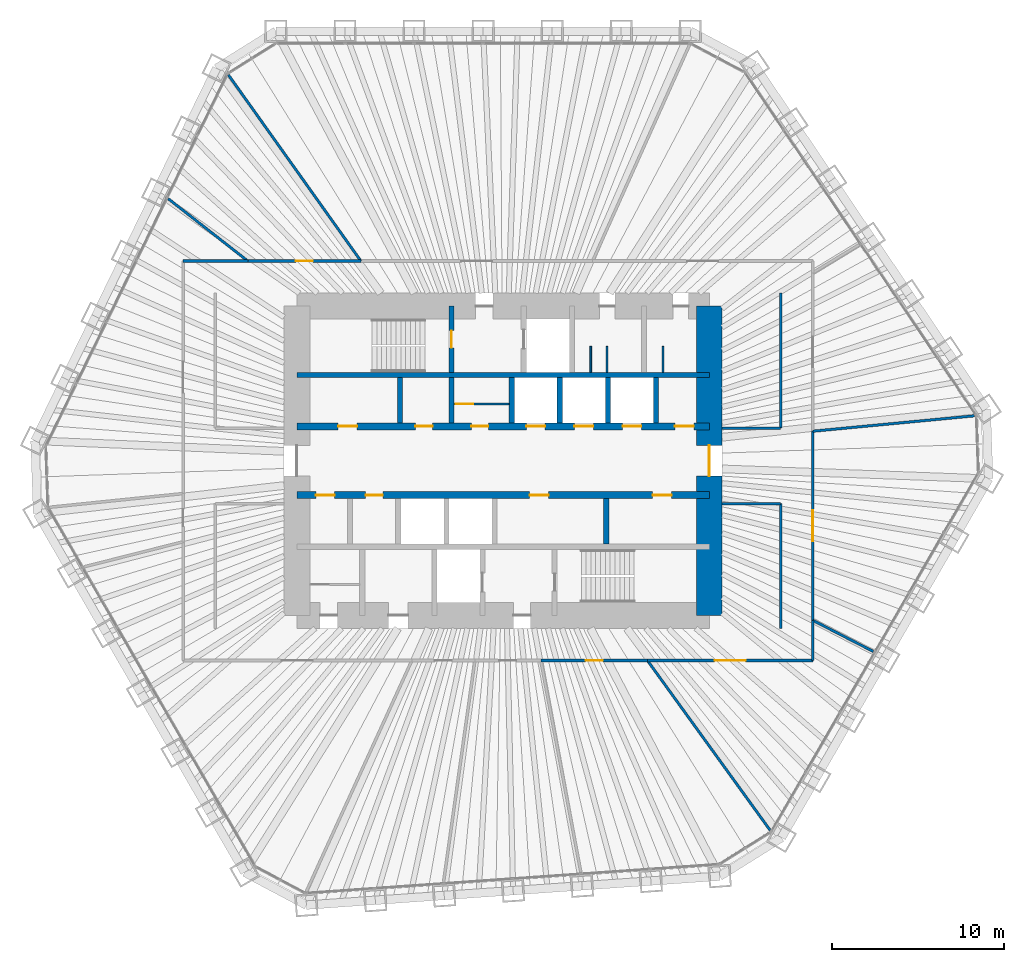
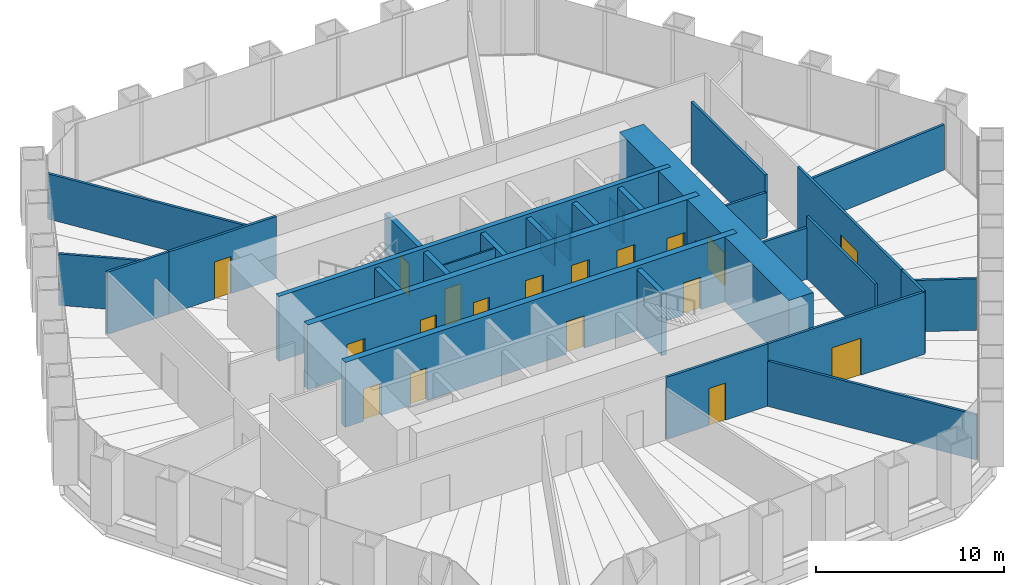
# One storey, part 11 of 13: 31 walls, 18 doors, 18 openings.
"""IFC4 building model written with IfcOpenShell, lengths in metres."""

from ifc_helpers import new_model, si_unit, direction, frame, frame_2d, origin, place, context, subcontext, project, spatial, rectangle, extrude, material, layer, layer_set, type_object, element, fill, save


model = new_model("IFC4")

# Units and contexts
model_context = context("Model", 3, precision=1e-05, world=origin(), true_north=direction((0.0, 1.0)))
body_context = subcontext(model_context, "Body", "Model", "MODEL_VIEW")
ifc_project = project(units=[si_unit("LENGTHUNIT", "METRE"), si_unit("AREAUNIT", "SQUARE_METRE"), si_unit("VOLUMEUNIT", "CUBIC_METRE"), si_unit("PLANEANGLEUNIT", "RADIAN"), si_unit("MASSUNIT", "GRAM", prefix="KILO")], contexts=[model_context])

# Site, building, storey
site_placement = place(None, origin())
site = spatial("IfcSite", under=ifc_project, at=site_placement, CompositionType="ELEMENT")
building_placement = place(site_placement, origin())
building = spatial("IfcBuilding", under=site, at=building_placement, Name="Qingtian Harvest Tower", CompositionType="ELEMENT")
storey_placement = place(building_placement, frame((0.0, 0.0, 115.60009765625)))
storey = spatial("IfcBuildingStorey", under=building, at=storey_placement, Name="L23", CompositionType="ELEMENT", Elevation=115.60009765625)

# Wall
ifc_material_1 = material(Name="Concrete fc' 70 MPa", Category="concrete")
ifc_layer_1 = layer(ifc_material_1, 0.300048828125)
ifc_layer_set_1 = layer_set([ifc_layer_1], Name="Core inner wall RC5 300")
wall_type_1 = type_object("IfcWallType", Name="Core inner wall RC5 300", PredefinedType="SHEAR", material=ifc_layer_set_1)
wall_1_placement = place(storey_placement, frame((-12.0, 5.0, 0.0), z_axis=(0.0, 0.0, 1.0), x_axis=(1.0, 0.0, 0.0)))
element("IfcWall", 1, at=wall_1_placement, inside=storey, type_object=wall_type_1, Name="Core wall IN5 L23", PredefinedType="SHEAR", context=body_context, shape_type="SweptSolid", body=[
    extrude(rectangle(XDim=24.0, YDim=0.300048828125, at=frame_2d((12.0, 0.0))), origin(), (0.0, 0.0, 1.0), 4.199951171875),
])

# Wall, openings, doors
ifc_material_2 = material(Name="Concrete fc' 70 MPa", Category="concrete")
ifc_layer_2 = layer(ifc_material_2, 0.39990234375)
ifc_layer_set_2 = layer_set([ifc_layer_2], Name="Core inner web RC6 400")
wall_type_2 = type_object("IfcWallType", Name="Core inner web RC6 400", PredefinedType="SHEAR", material=ifc_layer_set_2)
wall_2_placement = place(storey_placement, frame((-12.0, 2.0, 0.0), z_axis=(0.0, 0.0, 1.0), x_axis=(1.0, 0.0, 0.0)))
wall_2 = element("IfcWall", 2, at=wall_2_placement, inside=storey, type_object=wall_type_2, Name="Core wall IN2 L23", PredefinedType="SHEAR", context=body_context, shape_type="SweptSolid", body=[
    extrude(rectangle(XDim=24.0, YDim=0.39990234375, at=frame_2d((12.0, 0.0))), origin(), (0.0, 0.0, 1.0), 4.199951171875),
])
opening_1_placement = place(wall_2_placement, frame((2.39990234375, 0.0, 0.0)))
opening_1 = element("IfcOpeningElement", 3, at=opening_1_placement, cuts=wall_2, Name="Opening FD4", PredefinedType="OPENING", context=body_context, shape_type="SweptSolid", body=[
    extrude(rectangle(XDim=1.10009765625, YDim=2.10009765625, at=frame_2d((0.550048828125, 1.050048828125))), frame((0.0, 0.2099609375, 0.0), z_axis=(0.0, -1.0, 0.0), x_axis=(1.0, 0.0, 0.0)), (0.0, 0.0, 1.0), 0.419921875),
])
opening_2_placement = place(wall_2_placement, frame((22.0, 0.0, 0.0)))
opening_2 = element("IfcOpeningElement", 4, at=opening_2_placement, cuts=wall_2, Name="Opening FD4", PredefinedType="OPENING", context=body_context, shape_type="SweptSolid", body=[
    extrude(rectangle(XDim=1.10009765625, YDim=2.10009765625, at=frame_2d((0.550048828125, 1.050048828125))), frame((0.0, 0.2099609375, 0.0), z_axis=(0.0, -1.0, 0.0), x_axis=(1.0, 0.0, 0.0)), (0.0, 0.0, 1.0), 0.419921875),
])
opening_3_placement = place(wall_2_placement, frame((10.14990234375, 0.0, 0.0)))
opening_3 = element("IfcOpeningElement", 5, at=opening_3_placement, cuts=wall_2, Name="Opening FD1", PredefinedType="OPENING", context=body_context, shape_type="SweptSolid", body=[
    extrude(rectangle(XDim=1.0, YDim=2.10009765625, at=frame_2d((0.5, 1.050048828125))), frame((0.0, 0.2099609375, 0.0), z_axis=(0.0, -1.0, 0.0), x_axis=(1.0, 0.0, 0.0)), (0.0, 0.0, 1.0), 0.419921875),
])
opening_4_placement = place(wall_2_placement, frame((6.89990234375, 0.0, 0.0)))
opening_4 = element("IfcOpeningElement", 6, at=opening_4_placement, cuts=wall_2, Name="Opening FD1", PredefinedType="OPENING", context=body_context, shape_type="SweptSolid", body=[
    extrude(rectangle(XDim=1.0, YDim=2.10009765625, at=frame_2d((0.5, 1.050048828125))), frame((0.0, 0.2099609375, 0.0), z_axis=(0.0, -1.0, 0.0), x_axis=(1.0, 0.0, 0.0)), (0.0, 0.0, 1.0), 0.419921875),
])
opening_5_placement = place(wall_2_placement, frame((13.35009765625, 0.0, 0.0)))
opening_5 = element("IfcOpeningElement", 7, at=opening_5_placement, cuts=wall_2, Name="Opening LD1", PredefinedType="OPENING", context=body_context, shape_type="SweptSolid", body=[
    extrude(rectangle(XDim=1.10009765625, YDim=2.39990234375, at=frame_2d((0.550048828125, 1.199951171875))), frame((0.0, 0.2099609375, 0.0), z_axis=(0.0, -1.0, 0.0), x_axis=(1.0, 0.0, 0.0)), (0.0, 0.0, 1.0), 0.419921875),
])
opening_6_placement = place(wall_2_placement, frame((16.14990234375, 0.0, 0.0)))
opening_6 = element("IfcOpeningElement", 8, at=opening_6_placement, cuts=wall_2, Name="Opening LD1", PredefinedType="OPENING", context=body_context, shape_type="SweptSolid", body=[
    extrude(rectangle(XDim=1.10009765625, YDim=2.39990234375, at=frame_2d((0.550048828125, 1.199951171875))), frame((0.0, 0.2099609375, 0.0), z_axis=(0.0, -1.0, 0.0), x_axis=(1.0, 0.0, 0.0)), (0.0, 0.0, 1.0), 0.419921875),
])
opening_7_placement = place(wall_2_placement, frame((18.949951171875, 0.0, 0.0)))
opening_7 = element("IfcOpeningElement", 9, at=opening_7_placement, cuts=wall_2, Name="Opening LD1", PredefinedType="OPENING", context=body_context, shape_type="SweptSolid", body=[
    extrude(rectangle(XDim=1.10009765625, YDim=2.39990234375, at=frame_2d((0.550048828125, 1.199951171875))), frame((0.0, 0.2099609375, 0.0), z_axis=(0.0, -1.0, 0.0), x_axis=(1.0, 0.0, 0.0)), (0.0, 0.0, 1.0), 0.419921875),
])
ifc_material_3 = material(Name="Steel-faced door leaf", Category="steel")
door_type_1 = type_object("IfcDoorType", Name="Fire door FD1 single 1 HR", OperationType="SINGLE_SWING_LEFT", PredefinedType="DOOR", material=ifc_material_3)
door_1_placement = place(opening_3_placement, origin())
door_1 = element("IfcDoor", 10, at=door_1_placement, inside=storey, type_object=door_type_1, Name="STA door L23", OperationType="SINGLE_SWING_LEFT", OverallHeight=2.10009765625, OverallWidth=1.0, PredefinedType="DOOR", context=body_context, shape_type="SweptSolid", body=[
    extrude(rectangle(XDim=1.0, YDim=2.10009765625, at=frame_2d((0.5, 1.050048828125))), frame((0.0, 0.02490234375, 0.0), z_axis=(0.0, -1.0, 0.0), x_axis=(1.0, 0.0, 0.0)), (0.0, 0.0, 1.0), 0.050048828125),
])
fill(opening_3, door_1)
door_2_placement = place(opening_4_placement, origin())
door_2 = element("IfcDoor", 11, at=door_2_placement, inside=storey, type_object=door_type_1, Name="IT room door L23", OperationType="SINGLE_SWING_LEFT", OverallHeight=2.10009765625, OverallWidth=1.0, PredefinedType="DOOR", context=body_context, shape_type="SweptSolid", body=[
    extrude(rectangle(XDim=1.0, YDim=2.10009765625, at=frame_2d((0.5, 1.050048828125))), frame((0.0, 0.02490234375, 0.0), z_axis=(0.0, -1.0, 0.0), x_axis=(1.0, 0.0, 0.0)), (0.0, 0.0, 1.0), 0.050048828125),
])
fill(opening_4, door_2)
ifc_material_4 = material(Name="Steel-faced door leaf", Category="steel")
door_type_2 = type_object("IfcDoorType", Name="Fire door FD4 single 2 HR", OperationType="SINGLE_SWING_LEFT", PredefinedType="DOOR", material=ifc_material_4)
door_3_placement = place(opening_1_placement, origin())
door_3 = element("IfcDoor", 12, at=door_3_placement, inside=storey, type_object=door_type_2, Name="RA door L23", OperationType="SINGLE_SWING_RIGHT", OverallHeight=2.10009765625, OverallWidth=1.10009765625, PredefinedType="DOOR", context=body_context, shape_type="SweptSolid", body=[
    extrude(rectangle(XDim=1.10009765625, YDim=2.10009765625, at=frame_2d((0.550048828125, 1.050048828125))), frame((0.0, 0.02490234375, 0.0), z_axis=(0.0, -1.0, 0.0), x_axis=(1.0, 0.0, 0.0)), (0.0, 0.0, 1.0), 0.050048828125),
])
fill(opening_1, door_3)
door_4_placement = place(opening_2_placement, origin())
door_4 = element("IfcDoor", 13, at=door_4_placement, inside=storey, type_object=door_type_2, Name="AHU door L23", OperationType="SINGLE_SWING_RIGHT", OverallHeight=2.10009765625, OverallWidth=1.10009765625, PredefinedType="DOOR", context=body_context, shape_type="SweptSolid", body=[
    extrude(rectangle(XDim=1.10009765625, YDim=2.10009765625, at=frame_2d((0.550048828125, 1.050048828125))), frame((0.0, 0.02490234375, 0.0), z_axis=(0.0, -1.0, 0.0), x_axis=(1.0, 0.0, 0.0)), (0.0, 0.0, 1.0), 0.050048828125),
])
fill(opening_2, door_4)
ifc_material_5 = material(Name="Stainless steel lift landing door", Category="steel")
door_type_3 = type_object("IfcDoorType", Name="Lift landing door LD1 1 HR", OperationType="DOUBLE_DOOR_SLIDING", PredefinedType="DOOR", material=ifc_material_5)
door_5_placement = place(opening_5_placement, origin())
door_5 = element("IfcDoor", 14, at=door_5_placement, inside=storey, type_object=door_type_3, Name="PLB1 landing door L23", OperationType="DOUBLE_DOOR_SLIDING", OverallHeight=2.39990234375, OverallWidth=1.10009765625, PredefinedType="DOOR", context=body_context, shape_type="SweptSolid", body=[
    extrude(rectangle(XDim=1.10009765625, YDim=2.39990234375, at=frame_2d((0.550048828125, 1.199951171875))), frame((0.0, 0.02490234375, 0.0), z_axis=(0.0, -1.0, 0.0), x_axis=(1.0, 0.0, 0.0)), (0.0, 0.0, 1.0), 0.050048828125),
])
fill(opening_5, door_5)
door_6_placement = place(opening_6_placement, origin())
door_6 = element("IfcDoor", 15, at=door_6_placement, inside=storey, type_object=door_type_3, Name="PLB2 landing door L23", OperationType="DOUBLE_DOOR_SLIDING", OverallHeight=2.39990234375, OverallWidth=1.10009765625, PredefinedType="DOOR", context=body_context, shape_type="SweptSolid", body=[
    extrude(rectangle(XDim=1.10009765625, YDim=2.39990234375, at=frame_2d((0.550048828125, 1.199951171875))), frame((0.0, 0.02490234375, 0.0), z_axis=(0.0, -1.0, 0.0), x_axis=(1.0, 0.0, 0.0)), (0.0, 0.0, 1.0), 0.050048828125),
])
fill(opening_6, door_6)
door_7_placement = place(opening_7_placement, origin())
door_7 = element("IfcDoor", 16, at=door_7_placement, inside=storey, type_object=door_type_3, Name="PLB3 landing door L23", OperationType="DOUBLE_DOOR_SLIDING", OverallHeight=2.39990234375, OverallWidth=1.10009765625, PredefinedType="DOOR", context=body_context, shape_type="SweptSolid", body=[
    extrude(rectangle(XDim=1.10009765625, YDim=2.39990234375, at=frame_2d((0.550048828125, 1.199951171875))), frame((0.0, 0.02490234375, 0.0), z_axis=(0.0, -1.0, 0.0), x_axis=(1.0, 0.0, 0.0)), (0.0, 0.0, 1.0), 0.050048828125),
])
fill(opening_7, door_7)

wall_3_placement = place(storey_placement, frame((-12.0, -2.0, 0.0), z_axis=(0.0, 0.0, 1.0), x_axis=(1.0, 0.0, 0.0)))
wall_3 = element("IfcWall", 17, at=wall_3_placement, inside=storey, type_object=wall_type_2, Name="Core wall IS2 L23", PredefinedType="SHEAR", context=body_context, shape_type="SweptSolid", body=[
    extrude(rectangle(XDim=24.0, YDim=0.39990234375, at=frame_2d((12.0, 0.0))), origin(), (0.0, 0.0, 1.0), 4.199951171875),
])
opening_8_placement = place(wall_3_placement, frame((1.10009765625, 0.0, 0.0)))
opening_8 = element("IfcOpeningElement", 18, at=opening_8_placement, cuts=wall_3, Name="Opening FD4", PredefinedType="OPENING", context=body_context, shape_type="SweptSolid", body=[
    extrude(rectangle(XDim=1.10009765625, YDim=2.10009765625, at=frame_2d((0.550048828125, 1.050048828125))), frame((0.0, 0.2099609375, 0.0), z_axis=(0.0, -1.0, 0.0), x_axis=(1.0, 0.0, 0.0)), (0.0, 0.0, 1.0), 0.419921875),
])
opening_9_placement = place(wall_3_placement, frame((13.550048828125, 0.0, 0.0)))
opening_9 = element("IfcOpeningElement", 19, at=opening_9_placement, cuts=wall_3, Name="Opening FD4", PredefinedType="OPENING", context=body_context, shape_type="SweptSolid", body=[
    extrude(rectangle(XDim=1.10009765625, YDim=2.10009765625, at=frame_2d((0.550048828125, 1.050048828125))), frame((0.0, 0.2099609375, 0.0), z_axis=(0.0, -1.0, 0.0), x_axis=(1.0, 0.0, 0.0)), (0.0, 0.0, 1.0), 0.419921875),
])
opening_10_placement = place(wall_3_placement, frame((20.699951171875, 0.0, 0.0)))
opening_10 = element("IfcOpeningElement", 20, at=opening_10_placement, cuts=wall_3, Name="Opening FD4", PredefinedType="OPENING", context=body_context, shape_type="SweptSolid", body=[
    extrude(rectangle(XDim=1.10009765625, YDim=2.10009765625, at=frame_2d((0.550048828125, 1.050048828125))), frame((0.0, 0.2099609375, 0.0), z_axis=(0.0, -1.0, 0.0), x_axis=(1.0, 0.0, 0.0)), (0.0, 0.0, 1.0), 0.419921875),
])
opening_11_placement = place(wall_3_placement, frame((4.0, 0.0, 0.0)))
opening_11 = element("IfcOpeningElement", 21, at=opening_11_placement, cuts=wall_3, Name="Opening FD1", PredefinedType="OPENING", context=body_context, shape_type="SweptSolid", body=[
    extrude(rectangle(XDim=1.0, YDim=2.10009765625, at=frame_2d((0.5, 1.050048828125))), frame((0.0, 0.2099609375, 0.0), z_axis=(0.0, -1.0, 0.0), x_axis=(1.0, 0.0, 0.0)), (0.0, 0.0, 1.0), 0.419921875),
])
door_8_placement = place(opening_11_placement, origin())
door_8 = element("IfcDoor", 22, at=door_8_placement, inside=storey, type_object=door_type_1, Name="IT room door L23", OperationType="SINGLE_SWING_LEFT", OverallHeight=2.10009765625, OverallWidth=1.0, PredefinedType="DOOR", context=body_context, shape_type="SweptSolid", body=[
    extrude(rectangle(XDim=1.0, YDim=2.10009765625, at=frame_2d((0.5, 1.050048828125))), frame((0.0, 0.02490234375, 0.0), z_axis=(0.0, -1.0, 0.0), x_axis=(1.0, 0.0, 0.0)), (0.0, 0.0, 1.0), 0.050048828125),
])
fill(opening_11, door_8)
door_9_placement = place(opening_8_placement, origin())
door_9 = element("IfcDoor", 23, at=door_9_placement, inside=storey, type_object=door_type_2, Name="RB door L23", OperationType="SINGLE_SWING_RIGHT", OverallHeight=2.10009765625, OverallWidth=1.10009765625, PredefinedType="DOOR", context=body_context, shape_type="SweptSolid", body=[
    extrude(rectangle(XDim=1.10009765625, YDim=2.10009765625, at=frame_2d((0.550048828125, 1.050048828125))), frame((0.0, 0.02490234375, 0.0), z_axis=(0.0, -1.0, 0.0), x_axis=(1.0, 0.0, 0.0)), (0.0, 0.0, 1.0), 0.050048828125),
])
fill(opening_8, door_9)
door_10_placement = place(opening_9_placement, origin())
door_10 = element("IfcDoor", 24, at=door_10_placement, inside=storey, type_object=door_type_2, Name="ELEC door L23", OperationType="SINGLE_SWING_LEFT", OverallHeight=2.10009765625, OverallWidth=1.10009765625, PredefinedType="DOOR", context=body_context, shape_type="SweptSolid", body=[
    extrude(rectangle(XDim=1.10009765625, YDim=2.10009765625, at=frame_2d((0.550048828125, 1.050048828125))), frame((0.0, 0.02490234375, 0.0), z_axis=(0.0, -1.0, 0.0), x_axis=(1.0, 0.0, 0.0)), (0.0, 0.0, 1.0), 0.050048828125),
])
fill(opening_9, door_10)
door_11_placement = place(opening_10_placement, origin())
door_11 = element("IfcDoor", 25, at=door_11_placement, inside=storey, type_object=door_type_2, Name="DUCT door L23", OperationType="SINGLE_SWING_RIGHT", OverallHeight=2.10009765625, OverallWidth=1.10009765625, PredefinedType="DOOR", context=body_context, shape_type="SweptSolid", body=[
    extrude(rectangle(XDim=1.10009765625, YDim=2.10009765625, at=frame_2d((0.550048828125, 1.050048828125))), frame((0.0, 0.02490234375, 0.0), z_axis=(0.0, -1.0, 0.0), x_axis=(1.0, 0.0, 0.0)), (0.0, 0.0, 1.0), 0.050048828125),
])
fill(opening_10, door_11)

# Wall, opening, door
ifc_material_6 = material(Name="Precast concrete shaft panel", Category="concrete")
ifc_layer_3 = layer(ifc_material_6, 0.300048828125)
ifc_layer_set_3 = layer_set([ifc_layer_3], Name="Core shaft partition SW1 300")
wall_type_3 = type_object("IfcWallType", Name="Core shaft partition SW1 300", PredefinedType="PARTITIONING", material=ifc_layer_set_3)
wall_4_placement = place(storey_placement, frame((-3.0, 5.14990234375, 0.0), z_axis=(0.0, 0.0, 1.0), x_axis=(0.0, 1.0, 0.0)))
wall_4 = element("IfcWall", 26, at=wall_4_placement, inside=storey, type_object=wall_type_3, Name="Core shaft partition XN1 L23", PredefinedType="PARTITIONING", context=body_context, shape_type="SweptSolid", body=[
    extrude(rectangle(XDim=3.85009765625, YDim=0.300048828125, at=frame_2d((1.925048828125, 0.0))), origin(), (0.0, 0.0, 1.0), 3.97998046875),
])
opening_12_placement = place(wall_4_placement, frame((1.425048828125, 0.0, 0.0)))
opening_12 = element("IfcOpeningElement", 27, at=opening_12_placement, cuts=wall_4, Name="Opening FD1", PredefinedType="OPENING", context=body_context, shape_type="SweptSolid", body=[
    extrude(rectangle(XDim=1.0, YDim=2.10009765625, at=frame_2d((0.5, 1.050048828125))), frame((0.0, 0.159912109375, 0.0), z_axis=(0.0, -1.0, 0.0), x_axis=(1.0, 0.0, 0.0)), (0.0, 0.0, 1.0), 0.320068359375),
])
door_12_placement = place(opening_12_placement, origin())
door_12 = element("IfcDoor", 28, at=door_12_placement, inside=storey, type_object=door_type_1, Name="S1 door L23", OperationType="SINGLE_SWING_LEFT", OverallHeight=2.10009765625, OverallWidth=1.0, PredefinedType="DOOR", context=body_context, shape_type="SweptSolid", body=[
    extrude(rectangle(XDim=1.0, YDim=2.10009765625, at=frame_2d((0.5, 1.050048828125))), frame((0.0, 0.02490234375, 0.0), z_axis=(0.0, -1.0, 0.0), x_axis=(1.0, 0.0, 0.0)), (0.0, 0.0, 1.0), 0.050048828125),
])
fill(opening_12, door_12)

# Walls
for number, where, z_axis, x_axis, name in (
    (29, (-6.0, 2.199951171875, 0.0), (0.0, 0.0, 1.0), (0.0, 1.0, 0.0), "Core shaft partition XA1 L23"),
    (30, (-3.0, 2.199951171875, 0.0), (0.0, 0.0, 1.0), (0.0, 1.0, 0.0), "Core shaft partition XA2 L23"),
    (31, (0.5, 2.199951171875, 0.0), (0.0, 0.0, 1.0), (0.0, 1.0, 0.0), "Core shaft partition XA3 L23"),
    (32, (3.300048828125, 2.199951171875, 0.0), (0.0, 0.0, 1.0), (0.0, 1.0, 0.0), "Core shaft partition XA4 L23"),
    (33, (6.10009765625, 2.199951171875, 0.0), (0.0, 0.0, 1.0), (0.0, 1.0, 0.0), "Core shaft partition XA5 L23"),
    (34, (8.89990234375, 2.199951171875, 0.0), (0.0, 0.0, 1.0), (0.0, 1.0, 0.0), "Core shaft partition XA6 L23"),
    (35, (6.0, -4.85009765625, 0.0), (0.0, 0.0, 1.0), (0.0, 1.0, 0.0), "Core shaft partition XB5 L23"),
):
    element("IfcWall", number, at=place(storey_placement, frame(where, z_axis=z_axis, x_axis=x_axis)), inside=storey, type_object=wall_type_3, Name=name, PredefinedType="PARTITIONING", context=body_context, shape_type="SweptSolid", body=[
        extrude(rectangle(XDim=2.650146484375, YDim=0.300048828125, at=frame_2d((1.3251953125, 0.0))), origin(), (0.0, 0.0, 1.0), 3.97998046875),
    ])

# Wall, opening, door
ifc_material_7 = material(Name="Concrete fc' 70 MPa", Category="concrete")
ifc_layer_4 = layer(ifc_material_7, 1.5)
ifc_layer_set_4 = layer_set([ifc_layer_4], Name="Core wall RC1 1500")
wall_type_4 = type_object("IfcWallType", Name="Core wall RC1 1500", PredefinedType="SHEAR", material=ifc_layer_set_4)
wall_5_placement = place(storey_placement, frame((12.0, -9.0, 0.0), z_axis=(0.0, 0.0, 1.0), x_axis=(0.0, 1.0, 0.0)))
wall_5 = element("IfcWall", 36, at=wall_5_placement, inside=storey, type_object=wall_type_4, Name="Core wall CE L23", PredefinedType="SHEAR", context=body_context, shape_type="SweptSolid", body=[
    extrude(rectangle(XDim=18.0, YDim=1.5, at=frame_2d((9.0, 0.0))), origin(), (0.0, 0.0, 1.0), 4.199951171875),
])
opening_13_placement = place(wall_5_placement, frame((8.10009765625, 0.0, 0.0)))
opening_13 = element("IfcOpeningElement", 37, at=opening_13_placement, cuts=wall_5, Name="Opening FD2", PredefinedType="OPENING", context=body_context, shape_type="SweptSolid", body=[
    extrude(rectangle(XDim=1.800048828125, YDim=2.10009765625, at=frame_2d((0.89990234375, 1.050048828125))), frame((0.0, 0.760009765625, 0.0), z_axis=(0.0, -1.0, 0.0), x_axis=(1.0, 0.0, 0.0)), (0.0, 0.0, 1.0), 1.52001953125),
])
ifc_material_8 = material(Name="Steel-faced door leaf", Category="steel")
door_type_4 = type_object("IfcDoorType", Name="Fire door FD2 double 1 HR", OperationType="DOUBLE_DOOR_DOUBLE_SWING", PredefinedType="DOOR", material=ifc_material_8)
door_13_placement = place(opening_13_placement, origin())
door_13 = element("IfcDoor", 38, at=door_13_placement, inside=storey, type_object=door_type_4, Name="LOBBY-E door L23", OperationType="DOUBLE_DOOR_DOUBLE_SWING", OverallHeight=2.10009765625, OverallWidth=1.800048828125, PredefinedType="DOOR", context=body_context, shape_type="SweptSolid", body=[
    extrude(rectangle(XDim=1.800048828125, YDim=2.10009765625, at=frame_2d((0.89990234375, 1.050048828125))), frame((0.0, 0.02490234375, 0.0), z_axis=(0.0, -1.0, 0.0), x_axis=(1.0, 0.0, 0.0)), (0.0, 0.0, 1.0), 0.050048828125),
])
fill(opening_13, door_13)

# Walls
ifc_material_9 = material(Name="Gypsum board on steel studs", Category="steel")
ifc_layer_5 = layer(ifc_material_9, 0.14990234375)
ifc_layer_set_5 = layer_set([ifc_layer_5], Name="Partition PT1 150")
wall_type_5 = type_object("IfcWallType", Name="Partition PT1 150", PredefinedType="PARTITIONING", material=ifc_layer_set_5)
wall_6_placement = place(storey_placement, frame((-15.986572265625, 22.45458984375, 0.0), z_axis=(0.0, 0.0, 1.0), x_axis=(0.579969304452, -0.814638328274, 0.0)))
element("IfcWall", 39, at=wall_6_placement, inside=storey, type_object=wall_type_5, Name="Office suite wall L23", PredefinedType="PARTITIONING", context=body_context, shape_type="SweptSolid", body=[
    extrude(rectangle(XDim=13.293701171875, YDim=0.14990234375, at=frame_2d((6.64697265625, 0.0))), origin(), (0.0, 0.0, 1.0), 2.929931640625),
])
wall_7_placement = place(storey_placement, frame((27.439453125, 2.61767578125, 0.0), z_axis=(0.0, 0.0, 1.0), x_axis=(-0.995479795947, -0.09497355348, 0.0)))
element("IfcWall", 40, at=wall_7_placement, inside=storey, type_object=wall_type_5, Name="Meeting room wall L23", PredefinedType="PARTITIONING", context=body_context, shape_type="SweptSolid", body=[
    extrude(rectangle(XDim=9.457275390625, YDim=0.14990234375, at=frame_2d((4.728515625, 0.0))), origin(), (0.0, 0.0, 1.0), 2.929931640625),
])

# Wall, opening, door
wall_8_placement = place(storey_placement, frame((18.02490234375, 1.719482421875, 0.0), z_axis=(0.0, 0.0, 1.0), x_axis=(0.0, -1.0, 0.0)))
wall_8 = element("IfcWall", 41, at=wall_8_placement, inside=storey, type_object=wall_type_5, Name="Meeting room wall L23", PredefinedType="PARTITIONING", context=body_context, shape_type="SweptSolid", body=[
    extrude(rectangle(XDim=11.005615234375, YDim=0.14990234375, at=frame_2d((5.5029296875, 0.0))), origin(), (0.0, 0.0, 1.0), 4.02978515625),
])
opening_14_placement = place(wall_8_placement, frame((4.602783203125, 0.0, 0.0)))
opening_14 = element("IfcOpeningElement", 42, at=opening_14_placement, cuts=wall_8, Name="Opening D3", PredefinedType="OPENING", context=body_context, shape_type="SweptSolid", body=[
    extrude(rectangle(XDim=1.800048828125, YDim=2.39990234375, at=frame_2d((0.89990234375, 1.199951171875))), frame((0.0, 0.0849609375, 0.0), z_axis=(0.0, -1.0, 0.0), x_axis=(1.0, 0.0, 0.0)), (0.0, 0.0, 1.0), 0.169921875),
])
ifc_material_10 = material(Name="Laminated timber door leaf", Category="wood")
door_type_5 = type_object("IfcDoorType", Name="Room door D3 double", OperationType="DOUBLE_DOOR_DOUBLE_SWING", PredefinedType="DOOR", material=ifc_material_10)
door_14_placement = place(opening_14_placement, origin())
door_14 = element("IfcDoor", 43, at=door_14_placement, inside=storey, type_object=door_type_5, Name="Meeting room door L23", OperationType="DOUBLE_DOOR_DOUBLE_SWING", OverallHeight=2.39990234375, OverallWidth=1.800048828125, PredefinedType="DOOR", context=body_context, shape_type="SweptSolid", body=[
    extrude(rectangle(XDim=1.800048828125, YDim=2.39990234375, at=frame_2d((0.89990234375, 1.199951171875))), frame((0.0, 0.02490234375, 0.0), z_axis=(0.0, -1.0, 0.0), x_axis=(1.0, 0.0, 0.0)), (0.0, 0.0, 1.0), 0.050048828125),
])
fill(opening_14, door_14)

# Walls
wall_9_placement = place(storey_placement, frame((21.537841796875, -11.095703125, 0.0), z_axis=(0.0, 0.0, 1.0), x_axis=(-0.888987513346, 0.457931437134, 0.0)))
element("IfcWall", 44, at=wall_9_placement, inside=storey, type_object=wall_type_5, Name="Tenant lounge wall L23", PredefinedType="PARTITIONING", context=body_context, shape_type="SweptSolid", body=[
    extrude(rectangle(XDim=3.95166015625, YDim=0.14990234375, at=frame_2d((1.975830078125, 0.0))), origin(), (0.0, 0.0, 1.0), 3.329833984375),
])
wall_10_placement = place(storey_placement, frame((18.02490234375, -9.2861328125, 0.0), z_axis=(0.0, 0.0, 1.0), x_axis=(0.0, -1.0, 0.0)))
element("IfcWall", 45, at=wall_10_placement, inside=storey, type_object=wall_type_5, Name="Tenant lounge wall L23", PredefinedType="PARTITIONING", context=body_context, shape_type="SweptSolid", body=[
    extrude(rectangle(XDim=2.3388671875, YDim=0.14990234375, at=frame_2d((1.16943359375, 0.0))), origin(), (0.0, 0.0, 1.0), 4.02978515625),
])

# Wall, opening, door
wall_11_placement = place(storey_placement, frame((18.02490234375, -11.625, 0.0), z_axis=(0.0, 0.0, 1.0), x_axis=(-1.0, 0.0, 0.0)))
wall_11 = element("IfcWall", 46, at=wall_11_placement, inside=storey, type_object=wall_type_5, Name="Tenant lounge wall L23", PredefinedType="PARTITIONING", context=body_context, shape_type="SweptSolid", body=[
    extrude(rectangle(XDim=9.62353515625, YDim=0.14990234375, at=frame_2d((4.811767578125, 0.0))), origin(), (0.0, 0.0, 1.0), 4.02978515625),
])
opening_15_placement = place(wall_11_placement, frame((3.911865234375, 0.0, 0.0)))
opening_15 = element("IfcOpeningElement", 47, at=opening_15_placement, cuts=wall_11, Name="Opening D3", PredefinedType="OPENING", context=body_context, shape_type="SweptSolid", body=[
    extrude(rectangle(XDim=1.800048828125, YDim=2.39990234375, at=frame_2d((0.89990234375, 1.199951171875))), frame((0.0, 0.0849609375, 0.0), z_axis=(0.0, -1.0, 0.0), x_axis=(1.0, 0.0, 0.0)), (0.0, 0.0, 1.0), 0.169921875),
])
door_15_placement = place(opening_15_placement, origin())
door_15 = element("IfcDoor", 48, at=door_15_placement, inside=storey, type_object=door_type_5, Name="Tenant lounge door L23", OperationType="DOUBLE_DOOR_DOUBLE_SWING", OverallHeight=2.39990234375, OverallWidth=1.800048828125, PredefinedType="DOOR", context=body_context, shape_type="SweptSolid", body=[
    extrude(rectangle(XDim=1.800048828125, YDim=2.39990234375, at=frame_2d((0.89990234375, 1.199951171875))), frame((0.0, 0.02490234375, 0.0), z_axis=(0.0, -1.0, 0.0), x_axis=(1.0, 0.0, 0.0)), (0.0, 0.0, 1.0), 0.050048828125),
])
fill(opening_15, door_15)

# Wall
wall_12_placement = place(storey_placement, frame((15.53955078125, -21.50244140625, 0.0), z_axis=(0.0, 0.0, 1.0), x_axis=(-0.585731902034, 0.810504866697, 0.0)))
element("IfcWall", 49, at=wall_12_placement, inside=storey, type_object=wall_type_5, Name="Pantry wall L23", PredefinedType="PARTITIONING", context=body_context, shape_type="SweptSolid", body=[
    extrude(rectangle(XDim=12.186767578125, YDim=0.14990234375, at=frame_2d((6.09326171875, 0.0))), origin(), (0.0, 0.0, 1.0), 2.929931640625),
])

# Wall, opening, door
wall_13_placement = place(storey_placement, frame((8.4013671875, -11.625, 0.0), z_axis=(0.0, 0.0, 1.0), x_axis=(-1.0, 0.0, 0.0)))
wall_13 = element("IfcWall", 50, at=wall_13_placement, inside=storey, type_object=wall_type_5, Name="Pantry wall L23", PredefinedType="PARTITIONING", context=body_context, shape_type="SweptSolid", body=[
    extrude(rectangle(XDim=6.204833984375, YDim=0.14990234375, at=frame_2d((3.1025390625, 0.0))), origin(), (0.0, 0.0, 1.0), 4.02978515625),
])
opening_16_placement = place(wall_13_placement, frame((2.602294921875, 0.0, 0.0)))
opening_16 = element("IfcOpeningElement", 51, at=opening_16_placement, cuts=wall_13, Name="Opening D2", PredefinedType="OPENING", context=body_context, shape_type="SweptSolid", body=[
    extrude(rectangle(XDim=1.0, YDim=2.39990234375, at=frame_2d((0.5, 1.199951171875))), frame((0.0, 0.0849609375, 0.0), z_axis=(0.0, -1.0, 0.0), x_axis=(1.0, 0.0, 0.0)), (0.0, 0.0, 1.0), 0.169921875),
])
ifc_material_11 = material(Name="Laminated timber door leaf", Category="wood")
door_type_6 = type_object("IfcDoorType", Name="Room door D2 single", OperationType="SINGLE_SWING_LEFT", PredefinedType="DOOR", material=ifc_material_11)
door_16_placement = place(opening_16_placement, origin())
door_16 = element("IfcDoor", 52, at=door_16_placement, inside=storey, type_object=door_type_6, Name="Pantry door L23", OperationType="SINGLE_SWING_RIGHT", OverallHeight=2.39990234375, OverallWidth=1.0, PredefinedType="DOOR", context=body_context, shape_type="SweptSolid", body=[
    extrude(rectangle(XDim=1.0, YDim=2.39990234375, at=frame_2d((0.5, 1.199951171875))), frame((0.0, 0.02490234375, 0.0), z_axis=(0.0, -1.0, 0.0), x_axis=(1.0, 0.0, 0.0)), (0.0, 0.0, 1.0), 0.050048828125),
])
fill(opening_16, door_16)

# Walls
wall_14_placement = place(storey_placement, frame((-18.625, 11.625, 0.0), z_axis=(0.0, 0.0, 1.0), x_axis=(1.0, 0.0, 0.0)))
element("IfcWall", 53, at=wall_14_placement, inside=storey, type_object=wall_type_5, Name="Meeting room wall L23", PredefinedType="PARTITIONING", context=body_context, shape_type="SweptSolid", body=[
    extrude(rectangle(XDim=3.767822265625, YDim=0.14990234375, at=frame_2d((1.8837890625, 0.0))), origin(), (0.0, 0.0, 1.0), 4.02978515625),
])
wall_15_placement = place(storey_placement, frame((-19.489501953125, 15.249755859375, 0.0), z_axis=(0.0, 0.0, 1.0), x_axis=(0.787549668605, -0.616251182133, 0.0)))
element("IfcWall", 54, at=wall_15_placement, inside=storey, type_object=wall_type_5, Name="Quiet room wall L23", PredefinedType="PARTITIONING", context=body_context, shape_type="SweptSolid", body=[
    extrude(rectangle(XDim=5.8818359375, YDim=0.14990234375, at=frame_2d((2.94091796875, 0.0))), origin(), (0.0, 0.0, 1.0), 3.329833984375),
])

# Wall, opening, door
wall_16_placement = place(storey_placement, frame((-14.857177734375, 11.625, 0.0), z_axis=(0.0, 0.0, 1.0), x_axis=(1.0, 0.0, 0.0)))
wall_16 = element("IfcWall", 55, at=wall_16_placement, inside=storey, type_object=wall_type_5, Name="Quiet room wall L23", PredefinedType="PARTITIONING", context=body_context, shape_type="SweptSolid", body=[
    extrude(rectangle(XDim=6.58056640625, YDim=0.14990234375, at=frame_2d((3.290283203125, 0.0))), origin(), (0.0, 0.0, 1.0), 4.02978515625),
])
opening_17_placement = place(wall_16_placement, frame((2.790283203125, 0.0, 0.0)))
opening_17 = element("IfcOpeningElement", 56, at=opening_17_placement, cuts=wall_16, Name="Opening D2", PredefinedType="OPENING", context=body_context, shape_type="SweptSolid", body=[
    extrude(rectangle(XDim=1.0, YDim=2.39990234375, at=frame_2d((0.5, 1.199951171875))), frame((0.0, 0.0849609375, 0.0), z_axis=(0.0, -1.0, 0.0), x_axis=(1.0, 0.0, 0.0)), (0.0, 0.0, 1.0), 0.169921875),
])
door_17_placement = place(opening_17_placement, origin())
door_17 = element("IfcDoor", 57, at=door_17_placement, inside=storey, type_object=door_type_6, Name="Quiet room door L23", OperationType="SINGLE_SWING_LEFT", OverallHeight=2.39990234375, OverallWidth=1.0, PredefinedType="DOOR", context=body_context, shape_type="SweptSolid", body=[
    extrude(rectangle(XDim=1.0, YDim=2.39990234375, at=frame_2d((0.5, 1.199951171875))), frame((0.0, 0.02490234375, 0.0), z_axis=(0.0, -1.0, 0.0), x_axis=(1.0, 0.0, 0.0)), (0.0, 0.0, 1.0), 0.050048828125),
])
fill(opening_17, door_17)

# Walls
wall_17_placement = place(storey_placement, frame((16.14990234375, 1.89990234375, 0.0), z_axis=(0.0, 0.0, 1.0), x_axis=(0.0, 1.0, 0.0)))
element("IfcWall", 58, at=wall_17_placement, inside=storey, type_object=wall_type_5, Name="Breakout space wall L23", PredefinedType="PARTITIONING", context=body_context, shape_type="SweptSolid", body=[
    extrude(rectangle(XDim=7.85009765625, YDim=0.14990234375, at=frame_2d((3.925048828125, 0.0))), origin(), (0.0, 0.0, 1.0), 4.02978515625),
])
wall_18_placement = place(storey_placement, frame((12.75, 1.89990234375, 0.0), z_axis=(0.0, 0.0, 1.0), x_axis=(1.0, 0.0, 0.0)))
element("IfcWall", 59, at=wall_18_placement, inside=storey, type_object=wall_type_5, Name="Breakout space wall L23", PredefinedType="PARTITIONING", context=body_context, shape_type="SweptSolid", body=[
    extrude(rectangle(XDim=3.39990234375, YDim=0.14990234375, at=frame_2d((1.699951171875, 0.0))), origin(), (0.0, 0.0, 1.0), 2.929931640625),
])
wall_19_placement = place(storey_placement, frame((16.14990234375, -9.75, 0.0), z_axis=(0.0, 0.0, 1.0), x_axis=(0.0, 1.0, 0.0)))
element("IfcWall", 60, at=wall_19_placement, inside=storey, type_object=wall_type_5, Name="Print area wall L23", PredefinedType="PARTITIONING", context=body_context, shape_type="SweptSolid", body=[
    extrude(rectangle(XDim=7.25, YDim=0.14990234375, at=frame_2d((3.625, 0.0))), origin(), (0.0, 0.0, 1.0), 4.02978515625),
])
wall_20_placement = place(storey_placement, frame((12.75, -2.5, 0.0), z_axis=(0.0, 0.0, 1.0), x_axis=(1.0, 0.0, 0.0)))
element("IfcWall", 61, at=wall_20_placement, inside=storey, type_object=wall_type_5, Name="Print area wall L23", PredefinedType="PARTITIONING", context=body_context, shape_type="SweptSolid", body=[
    extrude(rectangle(XDim=3.39990234375, YDim=0.14990234375, at=frame_2d((1.699951171875, 0.0))), origin(), (0.0, 0.0, 1.0), 3.329833984375),
])

# Wall, opening, door
ifc_material_12 = material(Name="Concrete block partition", Category="concrete")
ifc_layer_6 = layer(ifc_material_12, 0.10009765625)
ifc_layer_set_6 = layer_set([ifc_layer_6], Name="Store partition PT3 100")
wall_type_6 = type_object("IfcWallType", Name="Store partition PT3 100", PredefinedType="PARTITIONING", material=ifc_layer_set_6)
wall_21_placement = place(storey_placement, frame((-2.85009765625, 3.300048828125, 0.0), z_axis=(0.0, 0.0, 1.0), x_axis=(1.0, 0.0, 0.0)))
wall_21 = element("IfcWall", 62, at=wall_21_placement, inside=storey, type_object=wall_type_6, Name="Stationery store wall L23", PredefinedType="PARTITIONING", context=body_context, shape_type="SweptSolid", body=[
    extrude(rectangle(XDim=3.2001953125, YDim=0.10009765625, at=frame_2d((1.60009765625, 0.0))), origin(), (0.0, 0.0, 1.0), 3.97998046875),
])
opening_18_placement = place(wall_21_placement, frame((0.10009765625, 0.0, 0.0)))
opening_18 = element("IfcOpeningElement", 63, at=opening_18_placement, cuts=wall_21, Name="Opening D2", PredefinedType="OPENING", context=body_context, shape_type="SweptSolid", body=[
    extrude(rectangle(XDim=1.0, YDim=2.39990234375, at=frame_2d((0.5, 1.199951171875))), frame((0.0, 0.06005859375, 0.0), z_axis=(0.0, -1.0, 0.0), x_axis=(1.0, 0.0, 0.0)), (0.0, 0.0, 1.0), 0.1201171875),
])
door_18_placement = place(opening_18_placement, origin())
door_18 = element("IfcDoor", 64, at=door_18_placement, inside=storey, type_object=door_type_6, Name="Stationery store door L23", OperationType="SINGLE_SWING_LEFT", OverallHeight=2.39990234375, OverallWidth=1.0, PredefinedType="DOOR", context=body_context, shape_type="SweptSolid", body=[
    extrude(rectangle(XDim=1.0, YDim=2.39990234375, at=frame_2d((0.5, 1.199951171875))), frame((0.0, 0.02490234375, 0.0), z_axis=(0.0, -1.0, 0.0), x_axis=(1.0, 0.0, 0.0)), (0.0, 0.0, 1.0), 0.050048828125),
])
fill(opening_18, door_18)

# Walls
ifc_material_13 = material(Name="Compact laminate cubicle partition", Category="plastic")
ifc_layer_7 = layer(ifc_material_13, 0.10009765625)
ifc_layer_set_7 = layer_set([ifc_layer_7], Name="WC cubicle partition WP1 100")
wall_type_7 = type_object("IfcWallType", Name="WC cubicle partition WP1 100", PredefinedType="PARTITIONING", material=ifc_layer_set_7)
for number, where, z_axis, x_axis, name in (
    (65, (5.10009765625, 5.14990234375, 0.0), (0.0, 0.0, 1.0), (0.0, 1.0, 0.0), "WC cubicle partition WCM L23"),
    (66, (6.050048828125, 5.14990234375, 0.0), (0.0, 0.0, 1.0), (0.0, 1.0, 0.0), "WC cubicle partition WCM L23"),
    (67, (9.300048828125, 5.14990234375, 0.0), (0.0, 0.0, 1.0), (0.0, 1.0, 0.0), "WC cubicle partition WCF L23"),
):
    element("IfcWall", number, at=place(storey_placement, frame(where, z_axis=z_axis, x_axis=x_axis)), inside=storey, type_object=wall_type_7, Name=name, PredefinedType="PARTITIONING", context=body_context, shape_type="SweptSolid", body=[
        extrude(rectangle(XDim=1.5, YDim=0.10009765625, at=frame_2d((0.75, 0.0))), origin(), (0.0, 0.0, 1.0), 2.099853515625),
    ])

save(model, "model.ifc")
